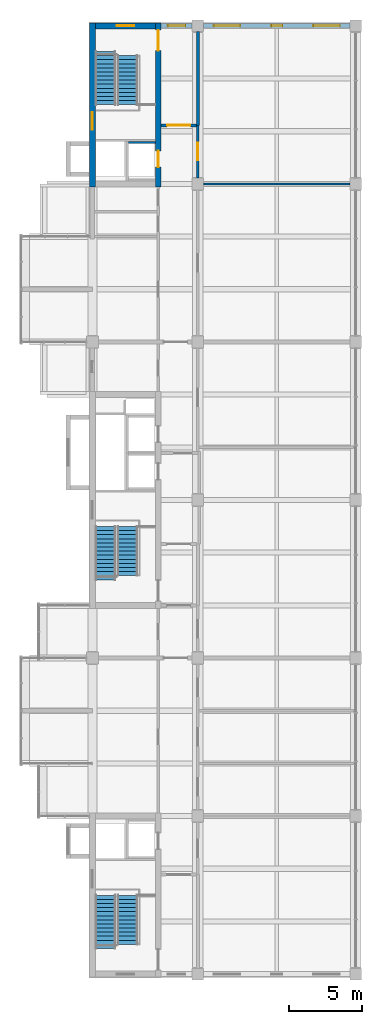
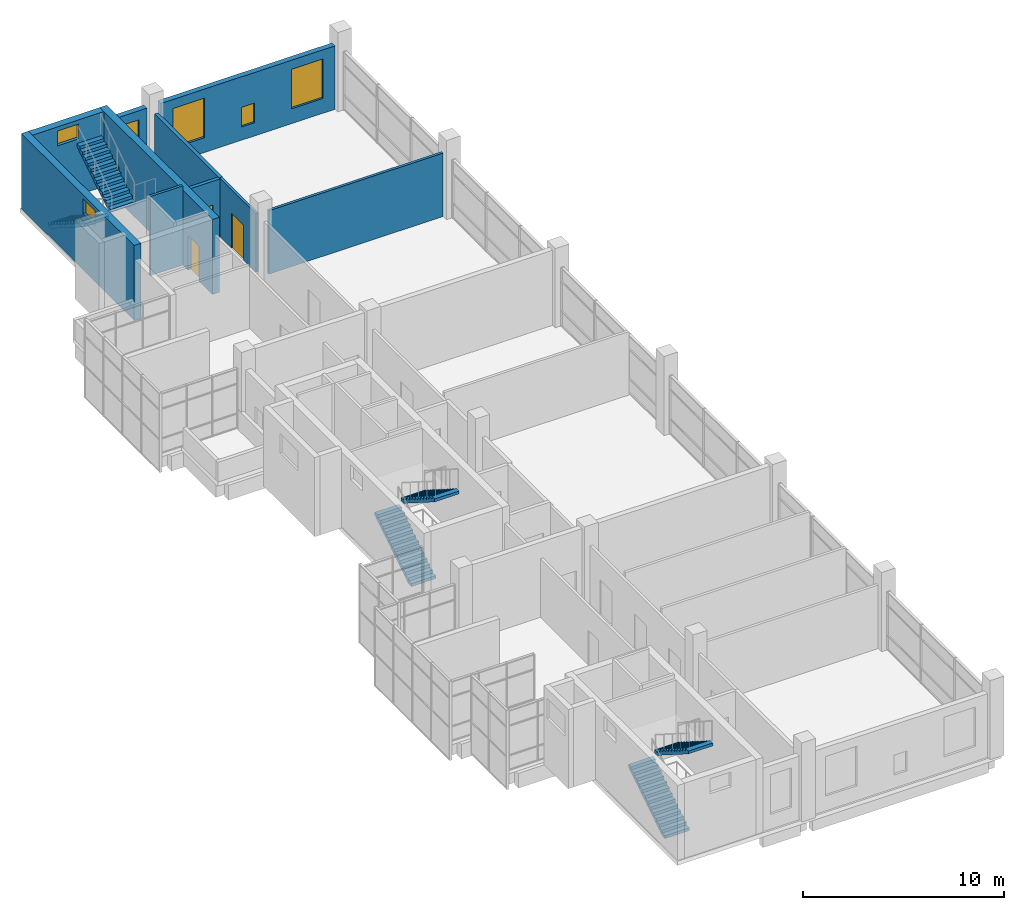
# One storey, part 13 of 14: 10 walls, 6 stair flights, 6 windows, 4 doors, 10 openings, 3 elements without a shape of their own.
"""IFC4 building model written with IfcOpenShell, lengths in metres."""

from ifc_helpers import new_model, si_unit, direction, frame, frame_2d, origin, place, context, subcontext, project, spatial, polyline, rectangle, outline, extrude, material, layer, layer_set, type_object, element, fill, aggregate, save


model = new_model("IFC4")

# Units and contexts
model_context = context("Model", 3, precision=1e-05, world=origin(), true_north=direction((0.0, 1.0)))
body_context = subcontext(model_context, "Body", "Model", "MODEL_VIEW")
ifc_project = project(units=[si_unit("LENGTHUNIT", "METRE"), si_unit("AREAUNIT", "SQUARE_METRE"), si_unit("VOLUMEUNIT", "CUBIC_METRE"), si_unit("PLANEANGLEUNIT", "RADIAN"), si_unit("MASSUNIT", "GRAM", prefix="KILO")], contexts=[model_context])

# Site, building, storey
site_placement = place(None, origin())
site = spatial("IfcSite", under=ifc_project, at=site_placement, CompositionType="ELEMENT")
building_placement = place(site_placement, origin())
building = spatial("IfcBuilding", under=site, at=building_placement, Name="Basin Gate Institute", CompositionType="ELEMENT")
storey_placement = place(building_placement, frame((0.0, 0.0, 60.60009765625)))
storey = spatial("IfcBuildingStorey", under=building, at=storey_placement, Name="L12", CompositionType="ELEMENT", Elevation=60.60009765625)

# Wall, opening, door
ifc_material_1 = material(Name="Fire-rated masonry", Category="masonry")
ifc_layer_1 = layer(ifc_material_1, 0.199951171875)
ifc_layer_set_1 = layer_set([ifc_layer_1], Name="Enclosure wall PW2 200 EI 60")
wall_type_1 = type_object("IfcWallType", Name="Enclosure wall PW2 200 EI 60", PredefinedType="PARTITIONING", material=ifc_layer_set_1)
wall_1_placement = place(storey_placement, frame((65.89990234375, 93.10009765625, 0.0), z_axis=(0.0, 0.0, 1.0), x_axis=(1.0, 0.0, 0.0)))
wall_1 = element("IfcWall", 1, at=wall_1_placement, inside=storey, type_object=wall_type_1, material=ifc_layer_set_1, Name="Smoke lobby enclosure wall PW2 L12", PredefinedType="PARTITIONING", context=body_context, shape_type="SweptSolid", body=[
    extrude(rectangle(XDim=2.400146484375, YDim=0.199951171875, at=frame_2d((1.2001953125, 0.0))), origin(), (0.0, 0.0, 1.0), 3.5498046875),
])
opening_1_placement = place(wall_1_placement, frame((0.39990234375, 0.0, 0.0)))
opening_1 = element("IfcOpeningElement", 2, at=opening_1_placement, cuts=wall_1, Name="Opening DR502", PredefinedType="OPENING", context=body_context, shape_type="SweptSolid", body=[
    extrude(rectangle(XDim=1.60009765625, YDim=2.10009765625, at=frame_2d((0.800048828125, 1.050048828125))), frame((0.0, 0.10986328125, 0.0), z_axis=(0.0, -1.0, 0.0), x_axis=(1.0, 0.0, 0.0)), (0.0, 0.0, 1.0), 0.219970703125),
])
ifc_material_2 = material(Name="Steel fire door", Category="steel")
door_type_1 = type_object("IfcDoorType", Name="FD60 Smoke lobby door pair D8", OperationType="DOUBLE_DOOR_SINGLE_SWING", PredefinedType="DOOR", material=ifc_material_2)
door_1_placement = place(opening_1_placement, origin())
door_1 = element("IfcDoor", 3, at=door_1_placement, inside=storey, type_object=door_type_1, material=ifc_material_2, Name="Smoke lobby door SS3 L12", OperationType="DOUBLE_DOOR_SINGLE_SWING", OverallHeight=2.10009765625, OverallWidth=1.60009765625, PredefinedType="DOOR", context=body_context, shape_type="SweptSolid", body=[
    extrude(rectangle(XDim=1.60009765625, YDim=2.10009765625, at=frame_2d((0.800048828125, 1.050048828125))), frame((0.0, 0.02490234375, 0.0), z_axis=(0.0, -1.0, 0.0), x_axis=(1.0, 0.0, 0.0)), (0.0, 0.0, 1.0), 0.050048828125),
])
fill(opening_1, door_1)

# Wall
wall_2_placement = place(storey_placement, frame((68.39990234375, 93.10009765625, 0.0), z_axis=(0.0, 0.0, 1.0), x_axis=(0.0, 1.0, 0.0)))
element("IfcWall", 4, at=wall_2_placement, inside=storey, type_object=wall_type_1, material=ifc_layer_set_1, Name="Smoke lobby enclosure wall PW2 L12", PredefinedType="PARTITIONING", context=body_context, shape_type="SweptSolid", body=[
    extrude(rectangle(XDim=6.39990234375, YDim=0.199951171875, at=frame_2d((3.199951171875, 0.0))), origin(), (0.0, 0.0, 1.0), 3.5498046875),
])

# Wall, opening, window
ifc_material_3 = material(Name="Aluminium-faced insulated panel wall", Category="aluminium")
ifc_layer_2 = layer(ifc_material_3, 0.300048828125)
ifc_layer_set_2 = layer_set([ifc_layer_2], Name="External wall EW1 EI 120")
wall_type_2 = type_object("IfcWallType", Name="External wall EW1 EI 120", PredefinedType="STANDARD", material=ifc_layer_set_2)
wall_3_placement = place(storey_placement, frame((65.89990234375, 99.89990234375, 0.0), z_axis=(0.0, 0.0, 1.0), x_axis=(1.0, 0.0, 0.0)))
wall_3 = element("IfcWall", 5, at=wall_3_placement, inside=storey, type_object=wall_type_2, material=ifc_layer_set_2, Name="External end wall W wing north L12 1", PredefinedType="STANDARD", context=body_context, shape_type="SweptSolid", body=[
    extrude(rectangle(XDim=2.10009765625, YDim=0.300048828125, at=frame_2d((1.050048828125, 0.0))), origin(), (0.0, 0.0, 1.0), 3.849853515625),
])
opening_2_placement = place(wall_3_placement, frame((0.449951171875, 0.0, 0.89990234375)))
opening_2 = element("IfcOpeningElement", 6, at=opening_2_placement, cuts=wall_3, Name="Opening WN4", PredefinedType="OPENING", context=body_context, shape_type="SweptSolid", body=[
    extrude(rectangle(XDim=1.199951171875, YDim=2.39990234375, at=frame_2d((0.60009765625, 1.199951171875))), frame((0.0, 0.16015625, 0.0), z_axis=(0.0, -1.0, 0.0), x_axis=(1.0, 0.0, 0.0)), (0.0, 0.0, 1.0), 0.320068359375),
])
ifc_material_4 = material(Name="Aluminium-framed double glazing", Category="aluminium")
window_type_1 = type_object("IfcWindowType", Name="Corridor end window WN4", PartitioningType="SINGLE_PANEL", PredefinedType="WINDOW", material=ifc_material_4)
window_1_placement = place(opening_2_placement, origin())
window_1 = element("IfcWindow", 7, at=window_1_placement, inside=storey, type_object=window_type_1, material=ifc_material_4, Name="Corridor end window W wing N L12", OverallHeight=2.39990234375, OverallWidth=1.199951171875, PartitioningType="SINGLE_PANEL", PredefinedType="WINDOW", context=body_context, shape_type="SweptSolid", body=[
    extrude(rectangle(XDim=1.199951171875, YDim=2.39990234375, at=frame_2d((0.60009765625, 1.199951171875))), frame((0.0, 0.030029296875, 0.0), z_axis=(0.0, -1.0, 0.0), x_axis=(1.0, 0.0, 0.0)), (0.0, 0.0, 1.0), 0.06005859375),
])
fill(opening_2, window_1)

# Wall, openings, windows
wall_4_placement = place(storey_placement, frame((68.800048828125, 99.89990234375, 0.0), z_axis=(0.0, 0.0, 1.0), x_axis=(1.0, 0.0, 0.0)))
wall_4 = element("IfcWall", 8, at=wall_4_placement, inside=storey, type_object=wall_type_2, material=ifc_layer_set_2, Name="External end wall W wing north L12 2", PredefinedType="STANDARD", context=body_context, shape_type="SweptSolid", body=[
    extrude(rectangle(XDim=10.0, YDim=0.300048828125, at=frame_2d((5.0, 0.0))), origin(), (0.0, 0.0, 1.0), 3.849853515625),
])
opening_3_placement = place(wall_4_placement, frame((0.699951171875, 0.0, 0.89990234375)))
opening_3 = element("IfcOpeningElement", 9, at=opening_3_placement, cuts=wall_4, Name="Opening WN1", PredefinedType="OPENING", context=body_context, shape_type="SweptSolid", body=[
    extrude(rectangle(XDim=1.800048828125, YDim=2.39990234375, at=frame_2d((0.89990234375, 1.199951171875))), frame((0.0, 0.16015625, 0.0), z_axis=(0.0, -1.0, 0.0), x_axis=(1.0, 0.0, 0.0)), (0.0, 0.0, 1.0), 0.320068359375),
])
opening_4_placement = place(wall_4_placement, frame((4.625, 0.0, 0.800048828125)))
opening_4 = element("IfcOpeningElement", 10, at=opening_4_placement, cuts=wall_4, Name="Opening WN3", PredefinedType="OPENING", context=body_context, shape_type="SweptSolid", body=[
    extrude(rectangle(XDim=0.75, YDim=1.199951171875, at=frame_2d((0.375, 0.60009765625))), frame((0.0, 0.16015625, 0.0), z_axis=(0.0, -1.0, 0.0), x_axis=(1.0, 0.0, 0.0)), (0.0, 0.0, 1.0), 0.320068359375),
])
opening_5_placement = place(wall_4_placement, frame((7.5, 0.0, 0.89990234375)))
opening_5 = element("IfcOpeningElement", 11, at=opening_5_placement, cuts=wall_4, Name="Opening WN1", PredefinedType="OPENING", context=body_context, shape_type="SweptSolid", body=[
    extrude(rectangle(XDim=1.800048828125, YDim=2.39990234375, at=frame_2d((0.89990234375, 1.199951171875))), frame((0.0, 0.16015625, 0.0), z_axis=(0.0, -1.0, 0.0), x_axis=(1.0, 0.0, 0.0)), (0.0, 0.0, 1.0), 0.320068359375),
])
ifc_material_5 = material(Name="Aluminium-framed double glazing", Category="aluminium")
window_type_2 = type_object("IfcWindowType", Name="Emergency entry panel WN3", PartitioningType="SINGLE_PANEL", PredefinedType="WINDOW", material=ifc_material_5)
window_2_placement = place(opening_4_placement, origin())
window_2 = element("IfcWindow", 12, at=window_2_placement, inside=storey, type_object=window_type_2, material=ifc_material_5, Name="Emergency entry panel W wing end N L12 bay 2", OverallHeight=1.199951171875, OverallWidth=0.75, PartitioningType="SINGLE_PANEL", PredefinedType="WINDOW", context=body_context, shape_type="SweptSolid", body=[
    extrude(rectangle(XDim=0.75, YDim=1.199951171875, at=frame_2d((0.375, 0.60009765625))), frame((0.0, 0.030029296875, 0.0), z_axis=(0.0, -1.0, 0.0), x_axis=(1.0, 0.0, 0.0)), (0.0, 0.0, 1.0), 0.06005859375),
])
fill(opening_4, window_2)
ifc_material_6 = material(Name="Aluminium-framed double glazing", Category="aluminium")
window_type_3 = type_object("IfcWindowType", Name="Facade window WN1", PartitioningType="SINGLE_PANEL", PredefinedType="WINDOW", material=ifc_material_6)
window_3_placement = place(opening_3_placement, origin())
window_3 = element("IfcWindow", 13, at=window_3_placement, inside=storey, type_object=window_type_3, material=ifc_material_6, Name="Facade window W wing end N L12 bay 1", OverallHeight=2.39990234375, OverallWidth=1.800048828125, PartitioningType="SINGLE_PANEL", PredefinedType="WINDOW", context=body_context, shape_type="SweptSolid", body=[
    extrude(rectangle(XDim=1.800048828125, YDim=2.39990234375, at=frame_2d((0.89990234375, 1.199951171875))), frame((0.0, 0.030029296875, 0.0), z_axis=(0.0, -1.0, 0.0), x_axis=(1.0, 0.0, 0.0)), (0.0, 0.0, 1.0), 0.06005859375),
])
fill(opening_3, window_3)
window_4_placement = place(opening_5_placement, origin())
window_4 = element("IfcWindow", 14, at=window_4_placement, inside=storey, type_object=window_type_3, material=ifc_material_6, Name="Facade window W wing end N L12 bay 3", OverallHeight=2.39990234375, OverallWidth=1.800048828125, PartitioningType="SINGLE_PANEL", PredefinedType="WINDOW", context=body_context, shape_type="SweptSolid", body=[
    extrude(rectangle(XDim=1.800048828125, YDim=2.39990234375, at=frame_2d((0.89990234375, 1.199951171875))), frame((0.0, 0.030029296875, 0.0), z_axis=(0.0, -1.0, 0.0), x_axis=(1.0, 0.0, 0.0)), (0.0, 0.0, 1.0), 0.06005859375),
])
fill(opening_5, window_4)

# Wall, opening, door
ifc_material_7 = material(Name="Gypsum board on steel stud", Category="steel")
ifc_layer_3 = layer(ifc_material_7, 0.14990234375)
ifc_layer_set_3 = layer_set([ifc_layer_3], Name="Gypsum board on steel stud")
wall_type_3 = type_object("IfcWallType", Name="Partition PW1 150 EI 60", PredefinedType="PARTITIONING", material=ifc_layer_set_3)
wall_5_placement = place(storey_placement, frame((68.39990234375, 89.5, 0.0), z_axis=(0.0, 0.0, 1.0), x_axis=(0.0, 1.0, 0.0)))
wall_5 = element("IfcWall", 15, at=wall_5_placement, inside=storey, type_object=wall_type_3, material=ifc_layer_set_3, Name="Laboratory corridor wall PW1 L12", PredefinedType="PARTITIONING", context=body_context, shape_type="SweptSolid", body=[
    extrude(rectangle(XDim=3.60009765625, YDim=0.14990234375, at=frame_2d((1.800048828125, 0.0))), origin(), (0.0, 0.0, 1.0), 3.5498046875),
])
opening_6_placement = place(wall_5_placement, frame((1.199951171875, 0.0, 0.0)))
opening_6 = element("IfcOpeningElement", 16, at=opening_6_placement, cuts=wall_5, Name="Opening DR497", PredefinedType="OPENING", context=body_context, shape_type="SweptSolid", body=[
    extrude(rectangle(XDim=1.199951171875, YDim=2.10009765625, at=frame_2d((0.60009765625, 1.050048828125))), frame((0.0, 0.0849609375, 0.0), z_axis=(0.0, -1.0, 0.0), x_axis=(1.0, 0.0, 0.0)), (0.0, 0.0, 1.0), 0.169921875),
])
ifc_material_8 = material(Name="Timber fire door", Category="wood")
door_type_2 = type_object("IfcDoorType", Name="FD30 Laboratory door D2", OperationType="DOUBLE_DOOR_SINGLE_SWING", PredefinedType="DOOR", material=ifc_material_8)
door_2_placement = place(opening_6_placement, frame((1.199951171875, 0.0, 0.0), z_axis=(0.0, 0.0, 1.0), x_axis=(-1.0, 0.0, 0.0)))
door_2 = element("IfcDoor", 17, at=door_2_placement, inside=storey, type_object=door_type_2, material=ifc_material_8, Name="Door to Write-up Office 1222 L12", OperationType="DOUBLE_DOOR_SINGLE_SWING", OverallHeight=2.10009765625, OverallWidth=1.199951171875, PredefinedType="DOOR", context=body_context, shape_type="SweptSolid", body=[
    extrude(rectangle(XDim=1.199951171875, YDim=2.10009765625, at=frame_2d((0.60009765625, 1.050048828125))), frame((0.0, 0.02490234375, 0.0), z_axis=(0.0, -1.0, 0.0), x_axis=(1.0, 0.0, 0.0)), (0.0, 0.0, 1.0), 0.050048828125),
])
fill(opening_6, door_2)

# Walls
wall_6_placement = place(storey_placement, frame((68.800048828125, 89.10009765625, 0.0), z_axis=(0.0, 0.0, 1.0), x_axis=(1.0, 0.0, 0.0)))
element("IfcWall", 18, at=wall_6_placement, inside=storey, type_object=wall_type_3, material=ifc_layer_set_3, Name="Laboratory partition PW1 L12", PredefinedType="PARTITIONING", context=body_context, shape_type="SweptSolid", body=[
    extrude(rectangle(XDim=10.0, YDim=0.14990234375, at=frame_2d((5.0, 0.0))), origin(), (0.0, 0.0, 1.0), 3.849853515625),
])
ifc_material_9 = material(Name="Concrete 40 MPa", Category="concrete")
ifc_layer_4 = layer(ifc_material_9, 0.14990234375)
ifc_layer_set_4 = layer_set([ifc_layer_4], Name="Concrete 40 MPa")
wall_type_4 = type_object("IfcWallType", Name="Wall LS1 lift shaft enclosure R120", PredefinedType="SOLIDWALL", material=ifc_layer_set_4)
wall_7_placement = place(storey_placement, frame((63.64990234375, 91.925048828125, 0.0), z_axis=(0.0, 0.0, 1.0), x_axis=(1.0, 0.0, 0.0)))
element("IfcWall", 19, at=wall_7_placement, inside=storey, type_object=wall_type_4, material=ifc_layer_set_4, Name="Lift shaft enclosure LP3 L12 RL", PredefinedType="SOLIDWALL", context=body_context, shape_type="SweptSolid", body=[
    extrude(rectangle(XDim=1.85009765625, YDim=0.14990234375, at=frame_2d((0.925048828125, 0.0))), origin(), (0.0, 0.0, 1.0), 4.7998046875),
])

# Wall, opening, window
ifc_material_10 = material(Name="Concrete 50 MPa", Category="concrete")
ifc_layer_5 = layer(ifc_material_10, 0.39990234375)
ifc_layer_set_5 = layer_set([ifc_layer_5], Name="Concrete 50 MPa")
wall_type_5 = type_object("IfcWallType", Name="Wall SW2 R120", PredefinedType="SHEAR", material=ifc_layer_set_5)
wall_8_placement = place(storey_placement, frame((61.199951171875, 88.89990234375, 0.0), z_axis=(0.0, 0.0, 1.0), x_axis=(0.0, 1.0, 0.0)))
wall_8 = element("IfcWall", 20, at=wall_8_placement, inside=storey, type_object=wall_type_5, material=ifc_layer_set_5, Name="WALL/L12/WN/L", PredefinedType="SHEAR", context=body_context, shape_type="SweptSolid", body=[
    extrude(rectangle(XDim=11.2001953125, YDim=0.39990234375, at=frame_2d((5.60009765625, 0.0))), origin(), (0.0, 0.0, 1.0), 4.5498046875),
])
opening_7_placement = place(wall_8_placement, frame((3.889892578125, 0.0, 3.39990234375)))
opening_7 = element("IfcOpeningElement", 21, at=opening_7_placement, cuts=wall_8, Name="Opening WT2", PredefinedType="OPENING", context=body_context, shape_type="SweptSolid", body=[
    extrude(rectangle(XDim=1.199951171875, YDim=0.89990234375, at=frame_2d((0.60009765625, 0.449951171875))), frame((0.0, 0.2099609375, 0.0), z_axis=(0.0, -1.0, 0.0), x_axis=(1.0, 0.0, 0.0)), (0.0, 0.0, 1.0), 0.419921875),
])
ifc_material_11 = material(Name="Fire-resistant glazing in steel-free frame", Category="steel")
window_type_4 = type_object("IfcWindowType", Name="Rated stair window EI 120 WT2", PartitioningType="SINGLE_PANEL", PredefinedType="WINDOW", material=ifc_material_11)
window_5_placement = place(opening_7_placement, origin())
window_5 = element("IfcWindow", 22, at=window_5_placement, inside=storey, type_object=window_type_4, material=ifc_material_11, Name="Rated stair window EI 120 WN landing L12", OverallHeight=0.89990234375, OverallWidth=1.199951171875, PartitioningType="SINGLE_PANEL", PredefinedType="WINDOW", context=body_context, shape_type="SweptSolid", body=[
    extrude(rectangle(XDim=1.199951171875, YDim=0.89990234375, at=frame_2d((0.60009765625, 0.449951171875))), frame((0.0, 0.030029296875, 0.0), z_axis=(0.0, -1.0, 0.0), x_axis=(1.0, 0.0, 0.0)), (0.0, 0.0, 1.0), 0.06005859375),
])
fill(opening_7, window_5)

# Wall, openings, doors
wall_9_placement = place(storey_placement, frame((65.699951171875, 88.89990234375, 0.0), z_axis=(0.0, 0.0, 1.0), x_axis=(0.0, 1.0, 0.0)))
wall_9 = element("IfcWall", 23, at=wall_9_placement, inside=storey, type_object=wall_type_5, material=ifc_layer_set_5, Name="WALL/L12/WN/C", PredefinedType="SHEAR", context=body_context, shape_type="SweptSolid", body=[
    extrude(rectangle(XDim=11.2001953125, YDim=0.39990234375, at=frame_2d((5.60009765625, 0.0))), origin(), (0.0, 0.0, 1.0), 4.5498046875),
])
opening_8_placement = place(wall_9_placement, frame((9.300048828125, 0.0, 0.0)))
opening_8 = element("IfcOpeningElement", 24, at=opening_8_placement, cuts=wall_9, Name="Opening DS066", PredefinedType="OPENING", context=body_context, shape_type="SweptSolid", body=[
    extrude(rectangle(XDim=1.39990234375, YDim=2.10009765625, at=frame_2d((0.699951171875, 1.050048828125))), frame((0.0, 0.2099609375, 0.0), z_axis=(0.0, -1.0, 0.0), x_axis=(1.0, 0.0, 0.0)), (0.0, 0.0, 1.0), 0.419921875),
])
opening_9_placement = place(wall_9_placement, frame((1.35009765625, 0.0, 0.0)))
opening_9 = element("IfcOpeningElement", 25, at=opening_9_placement, cuts=wall_9, Name="Opening LD067", PredefinedType="OPENING", context=body_context, shape_type="SweptSolid", body=[
    extrude(rectangle(XDim=1.10009765625, YDim=2.10009765625, at=frame_2d((0.550048828125, 1.050048828125))), frame((0.0, 0.2099609375, 0.0), z_axis=(0.0, -1.0, 0.0), x_axis=(1.0, 0.0, 0.0)), (0.0, 0.0, 1.0), 0.419921875),
])
ifc_material_12 = material(Name="Steel fire door", Category="steel")
door_type_3 = type_object("IfcDoorType", Name="FD30 Stair enclosure door DS", OperationType="DOUBLE_DOOR_SINGLE_SWING", PredefinedType="DOOR", material=ifc_material_12)
door_3_placement = place(opening_8_placement, origin())
door_3 = element("IfcDoor", 26, at=door_3_placement, inside=storey, type_object=door_type_3, material=ifc_material_12, Name="Stair enclosure door ST-WN L12", OperationType="DOUBLE_DOOR_SINGLE_SWING", OverallHeight=2.10009765625, OverallWidth=1.39990234375, PredefinedType="DOOR", context=body_context, shape_type="SweptSolid", body=[
    extrude(rectangle(XDim=1.39990234375, YDim=2.10009765625, at=frame_2d((0.699951171875, 1.050048828125))), frame((0.0, 0.02490234375, 0.0), z_axis=(0.0, -1.0, 0.0), x_axis=(1.0, 0.0, 0.0)), (0.0, 0.0, 1.0), 0.050048828125),
])
fill(opening_8, door_3)
ifc_material_13 = material(Name="Stainless steel", Category="steel")
door_type_4 = type_object("IfcDoorType", Name="FD60 Lift landing door LD", OperationType="SLIDING_TO_LEFT", PredefinedType="DOOR", material=ifc_material_13)
door_4_placement = place(opening_9_placement, origin())
door_4 = element("IfcDoor", 27, at=door_4_placement, inside=storey, type_object=door_type_4, material=ifc_material_13, Name="Lift landing door LP3 L12", OperationType="SLIDING_TO_LEFT", OverallHeight=2.10009765625, OverallWidth=1.10009765625, PredefinedType="DOOR", context=body_context, shape_type="SweptSolid", body=[
    extrude(rectangle(XDim=1.10009765625, YDim=2.10009765625, at=frame_2d((0.550048828125, 1.050048828125))), frame((0.0, 0.02490234375, 0.0), z_axis=(0.0, -1.0, 0.0), x_axis=(1.0, 0.0, 0.0)), (0.0, 0.0, 1.0), 0.050048828125),
])
fill(opening_9, door_4)

# Wall, opening, window
wall_10_placement = place(storey_placement, frame((61.39990234375, 99.89990234375, 0.0), z_axis=(0.0, 0.0, 1.0), x_axis=(1.0, 0.0, 0.0)))
wall_10 = element("IfcWall", 28, at=wall_10_placement, inside=storey, type_object=wall_type_5, material=ifc_layer_set_5, Name="WALL/L12/WN/N", PredefinedType="SHEAR", context=body_context, shape_type="SweptSolid", body=[
    extrude(rectangle(XDim=4.10009765625, YDim=0.39990234375, at=frame_2d((2.050048828125, 0.0))), origin(), (0.0, 0.0, 1.0), 4.5498046875),
])
opening_10_placement = place(wall_10_placement, frame((1.449951171875, 0.0, 3.39990234375)))
opening_10 = element("IfcOpeningElement", 29, at=opening_10_placement, cuts=wall_10, Name="Opening WT2", PredefinedType="OPENING", context=body_context, shape_type="SweptSolid", body=[
    extrude(rectangle(XDim=1.199951171875, YDim=0.89990234375, at=frame_2d((0.60009765625, 0.449951171875))), frame((0.0, 0.2099609375, 0.0), z_axis=(0.0, -1.0, 0.0), x_axis=(1.0, 0.0, 0.0)), (0.0, 0.0, 1.0), 0.419921875),
])
window_6_placement = place(opening_10_placement, origin())
window_6 = element("IfcWindow", 30, at=window_6_placement, inside=storey, type_object=window_type_4, material=ifc_material_11, Name="Rated stair window EI 120 WN end L12", OverallHeight=0.89990234375, OverallWidth=1.199951171875, PartitioningType="SINGLE_PANEL", PredefinedType="WINDOW", context=body_context, shape_type="SweptSolid", body=[
    extrude(rectangle(XDim=1.199951171875, YDim=0.89990234375, at=frame_2d((0.60009765625, 0.449951171875))), frame((0.0, 0.030029296875, 0.0), z_axis=(0.0, -1.0, 0.0), x_axis=(1.0, 0.0, 0.0)), (0.0, 0.0, 1.0), 0.06005859375),
])
fill(opening_10, window_6)

# Stair, stair flights
ifc_material_14 = material(Name="Concrete 40 MPa", Category="concrete")
stair_type = type_object("IfcStairType", Name="Stair ST", PredefinedType="HALF_TURN_STAIR", material=ifc_material_14)
stair_1_placement = place(storey_placement, origin())
stair_1 = element("IfcStair", 31, at=stair_1_placement, inside=storey, type_object=stair_type, material=ifc_material_14, Name="Special safe stair ST-WS L12", PredefinedType="HALF_TURN_STAIR")
ifc_material_15 = material(Name="Concrete 40 MPa", Category="concrete")
stair_flight_type = type_object("IfcStairFlightType", Name="Stair flight FL", PredefinedType="STRAIGHT", material=ifc_material_15)
stair_flight_1_placement = place(storey_placement, frame((62.10009765625, 36.85009765625, 0.0), z_axis=(0.0, 0.0, 1.0), x_axis=(0.0, 1.0, 0.0)))
stair_flight_1 = element("IfcStairFlight", 32, at=stair_flight_1_placement, type_object=stair_flight_type, material=ifc_material_15, Name="Stair flight ST-WS-F1 L12", NumberOfRisers=14, NumberOfTreads=13, PredefinedType="STRAIGHT", RiserHeight=0.177777778, TreadLength=0.28, context=body_context, shape_type="SweptSolid", body=[
    extrude(outline(polyline([(0.0, 0.0), (0.0, 0.177734375), (0.280029296875, 0.177734375), (0.280029296875, 0.35546875), (0.56005859375, 0.35546875), (0.56005859375, 0.533447265625), (0.840087890625, 0.533447265625), (0.840087890625, 0.711181640625), (1.1201171875, 0.711181640625), (1.1201171875, 0.888916015625), (1.39990234375, 0.888916015625), (1.39990234375, 1.066650390625), (1.679931640625, 1.066650390625), (1.679931640625, 1.244384765625), (1.9599609375, 1.244384765625), (1.9599609375, 1.422119140625), (2.239990234375, 1.422119140625), (2.239990234375, 1.60009765625), (2.52001953125, 1.60009765625), (2.52001953125, 1.77783203125), (2.800048828125, 1.77783203125), (2.800048828125, 1.95556640625), (3.080078125, 1.95556640625), (3.080078125, 2.13330078125), (3.360107421875, 2.13330078125), (3.360107421875, 2.31103515625), (3.639892578125, 2.31103515625), (3.639892578125, 2.48876953125), (3.639892578125, 2.133544921875), (0.27978515625, 0.0), (0.0, 0.0)])), frame((0.0, 0.699951171875, 0.0), z_axis=(0.0, -1.0, 0.0), x_axis=(1.0, 0.0, 0.0)), (0.0, 0.0, 1.0), 1.39990234375),
])
stair_flight_2_placement = place(storey_placement, frame((63.60009765625, 40.489990234375, 2.48876953125), z_axis=(0.0, 0.0, 1.0), x_axis=(0.0, -1.0, 0.0)))
stair_flight_2 = element("IfcStairFlight", 33, at=stair_flight_2_placement, type_object=stair_flight_type, material=ifc_material_15, Name="Stair flight ST-WS-F2 L12", NumberOfRisers=13, NumberOfTreads=12, PredefinedType="STRAIGHT", RiserHeight=0.177777778, TreadLength=0.28, context=body_context, shape_type="SweptSolid", body=[
    extrude(outline(polyline([(0.0, 0.0), (0.0, 0.177734375), (0.280029296875, 0.177734375), (0.280029296875, 0.35546875), (0.56005859375, 0.35546875), (0.56005859375, 0.533447265625), (0.840087890625, 0.533447265625), (0.840087890625, 0.711181640625), (1.1201171875, 0.711181640625), (1.1201171875, 0.888916015625), (1.39990234375, 0.888916015625), (1.39990234375, 1.066650390625), (1.679931640625, 1.066650390625), (1.679931640625, 1.244384765625), (1.9599609375, 1.244384765625), (1.9599609375, 1.422119140625), (2.239990234375, 1.422119140625), (2.239990234375, 1.60009765625), (2.52001953125, 1.60009765625), (2.52001953125, 1.77783203125), (2.800048828125, 1.77783203125), (2.800048828125, 1.95556640625), (3.080078125, 1.95556640625), (3.080078125, 2.13330078125), (3.360107421875, 2.13330078125), (3.360107421875, 2.31103515625), (3.360107421875, 1.955810546875), (0.27978515625, 0.0), (0.0, 0.0)])), frame((0.0, 0.699951171875, 0.0), z_axis=(0.0, -1.0, 0.0), x_axis=(1.0, 0.0, 0.0)), (0.0, 0.0, 1.0), 1.39990234375),
])
aggregate(stair_1, [stair_flight_1, stair_flight_2])

stair_2_placement = place(storey_placement, origin())
stair_2 = element("IfcStair", 34, at=stair_2_placement, inside=storey, type_object=stair_type, material=ifc_material_14, Name="Special safe stair ST-WM L12", PredefinedType="HALF_TURN_STAIR")
stair_flight_3_placement = place(storey_placement, frame((62.10009765625, 62.050048828125, 0.0), z_axis=(0.0, 0.0, 1.0), x_axis=(0.0, 1.0, 0.0)))
stair_flight_3 = element("IfcStairFlight", 35, at=stair_flight_3_placement, type_object=stair_flight_type, material=ifc_material_15, Name="Stair flight ST-WM-F1 L12", NumberOfRisers=14, NumberOfTreads=13, PredefinedType="STRAIGHT", RiserHeight=0.177777778, TreadLength=0.28, context=body_context, shape_type="SweptSolid", body=[
    extrude(outline(polyline([(0.0, 0.0), (0.0, 0.177734375), (0.280029296875, 0.177734375), (0.280029296875, 0.35546875), (0.56005859375, 0.35546875), (0.56005859375, 0.533447265625), (0.840087890625, 0.533447265625), (0.840087890625, 0.711181640625), (1.1201171875, 0.711181640625), (1.1201171875, 0.888916015625), (1.39990234375, 0.888916015625), (1.39990234375, 1.066650390625), (1.679931640625, 1.066650390625), (1.679931640625, 1.244384765625), (1.9599609375, 1.244384765625), (1.9599609375, 1.422119140625), (2.239990234375, 1.422119140625), (2.239990234375, 1.60009765625), (2.52001953125, 1.60009765625), (2.52001953125, 1.77783203125), (2.800048828125, 1.77783203125), (2.800048828125, 1.95556640625), (3.080078125, 1.95556640625), (3.080078125, 2.13330078125), (3.360107421875, 2.13330078125), (3.360107421875, 2.31103515625), (3.639892578125, 2.31103515625), (3.639892578125, 2.48876953125), (3.639892578125, 2.133544921875), (0.27978515625, 0.0), (0.0, 0.0)])), frame((0.0, 0.699951171875, 0.0), z_axis=(0.0, -1.0, 0.0), x_axis=(1.0, 0.0, 0.0)), (0.0, 0.0, 1.0), 1.39990234375),
])
stair_flight_4_placement = place(storey_placement, frame((63.60009765625, 65.68994140625, 2.48876953125), z_axis=(0.0, 0.0, 1.0), x_axis=(0.0, -1.0, 0.0)))
stair_flight_4 = element("IfcStairFlight", 36, at=stair_flight_4_placement, type_object=stair_flight_type, material=ifc_material_15, Name="Stair flight ST-WM-F2 L12", NumberOfRisers=13, NumberOfTreads=12, PredefinedType="STRAIGHT", RiserHeight=0.177777778, TreadLength=0.28, context=body_context, shape_type="SweptSolid", body=[
    extrude(outline(polyline([(0.0, 0.0), (0.0, 0.177734375), (0.280029296875, 0.177734375), (0.280029296875, 0.35546875), (0.56005859375, 0.35546875), (0.56005859375, 0.533447265625), (0.840087890625, 0.533447265625), (0.840087890625, 0.711181640625), (1.1201171875, 0.711181640625), (1.1201171875, 0.888916015625), (1.39990234375, 0.888916015625), (1.39990234375, 1.066650390625), (1.679931640625, 1.066650390625), (1.679931640625, 1.244384765625), (1.9599609375, 1.244384765625), (1.9599609375, 1.422119140625), (2.239990234375, 1.422119140625), (2.239990234375, 1.60009765625), (2.52001953125, 1.60009765625), (2.52001953125, 1.77783203125), (2.800048828125, 1.77783203125), (2.800048828125, 1.95556640625), (3.080078125, 1.95556640625), (3.080078125, 2.13330078125), (3.360107421875, 2.13330078125), (3.360107421875, 2.31103515625), (3.360107421875, 1.955810546875), (0.27978515625, 0.0), (0.0, 0.0)])), frame((0.0, 0.699951171875, 0.0), z_axis=(0.0, -1.0, 0.0), x_axis=(1.0, 0.0, 0.0)), (0.0, 0.0, 1.0), 1.39990234375),
])
aggregate(stair_2, [stair_flight_3, stair_flight_4])

stair_3_placement = place(storey_placement, origin())
stair_3 = element("IfcStair", 37, at=stair_3_placement, inside=storey, type_object=stair_type, material=ifc_material_14, Name="Special safe stair ST-WN L12", PredefinedType="HALF_TURN_STAIR")
stair_flight_5_placement = place(storey_placement, frame((62.10009765625, 98.14990234375, 0.0), z_axis=(0.0, 0.0, 1.0), x_axis=(0.0, -1.0, 0.0)))
stair_flight_5 = element("IfcStairFlight", 38, at=stair_flight_5_placement, type_object=stair_flight_type, material=ifc_material_15, Name="Stair flight ST-WN-F1 L12", NumberOfRisers=14, NumberOfTreads=13, PredefinedType="STRAIGHT", RiserHeight=0.177777778, TreadLength=0.28, context=body_context, shape_type="SweptSolid", body=[
    extrude(outline(polyline([(0.0, 0.0), (0.0, 0.177734375), (0.280029296875, 0.177734375), (0.280029296875, 0.35546875), (0.56005859375, 0.35546875), (0.56005859375, 0.533447265625), (0.840087890625, 0.533447265625), (0.840087890625, 0.711181640625), (1.1201171875, 0.711181640625), (1.1201171875, 0.888916015625), (1.39990234375, 0.888916015625), (1.39990234375, 1.066650390625), (1.679931640625, 1.066650390625), (1.679931640625, 1.244384765625), (1.9599609375, 1.244384765625), (1.9599609375, 1.422119140625), (2.239990234375, 1.422119140625), (2.239990234375, 1.60009765625), (2.52001953125, 1.60009765625), (2.52001953125, 1.77783203125), (2.800048828125, 1.77783203125), (2.800048828125, 1.95556640625), (3.080078125, 1.95556640625), (3.080078125, 2.13330078125), (3.360107421875, 2.13330078125), (3.360107421875, 2.31103515625), (3.639892578125, 2.31103515625), (3.639892578125, 2.48876953125), (3.639892578125, 2.133544921875), (0.27978515625, 0.0), (0.0, 0.0)])), frame((0.0, 0.699951171875, 0.0), z_axis=(0.0, -1.0, 0.0), x_axis=(1.0, 0.0, 0.0)), (0.0, 0.0, 1.0), 1.39990234375),
])
stair_flight_6_placement = place(storey_placement, frame((63.60009765625, 94.510009765625, 2.48876953125), z_axis=(0.0, 0.0, 1.0), x_axis=(0.0, 1.0, 0.0)))
stair_flight_6 = element("IfcStairFlight", 39, at=stair_flight_6_placement, type_object=stair_flight_type, material=ifc_material_15, Name="Stair flight ST-WN-F2 L12", NumberOfRisers=13, NumberOfTreads=12, PredefinedType="STRAIGHT", RiserHeight=0.177777778, TreadLength=0.28, context=body_context, shape_type="SweptSolid", body=[
    extrude(outline(polyline([(0.0, 0.0), (0.0, 0.177734375), (0.280029296875, 0.177734375), (0.280029296875, 0.35546875), (0.56005859375, 0.35546875), (0.56005859375, 0.533447265625), (0.840087890625, 0.533447265625), (0.840087890625, 0.711181640625), (1.1201171875, 0.711181640625), (1.1201171875, 0.888916015625), (1.39990234375, 0.888916015625), (1.39990234375, 1.066650390625), (1.679931640625, 1.066650390625), (1.679931640625, 1.244384765625), (1.9599609375, 1.244384765625), (1.9599609375, 1.422119140625), (2.239990234375, 1.422119140625), (2.239990234375, 1.60009765625), (2.52001953125, 1.60009765625), (2.52001953125, 1.77783203125), (2.800048828125, 1.77783203125), (2.800048828125, 1.95556640625), (3.080078125, 1.95556640625), (3.080078125, 2.13330078125), (3.360107421875, 2.13330078125), (3.360107421875, 2.31103515625), (3.360107421875, 1.955810546875), (0.27978515625, 0.0), (0.0, 0.0)])), frame((0.0, 0.699951171875, 0.0), z_axis=(0.0, -1.0, 0.0), x_axis=(1.0, 0.0, 0.0)), (0.0, 0.0, 1.0), 1.39990234375),
])
aggregate(stair_3, [stair_flight_5, stair_flight_6])

save(model, "model.ifc")
